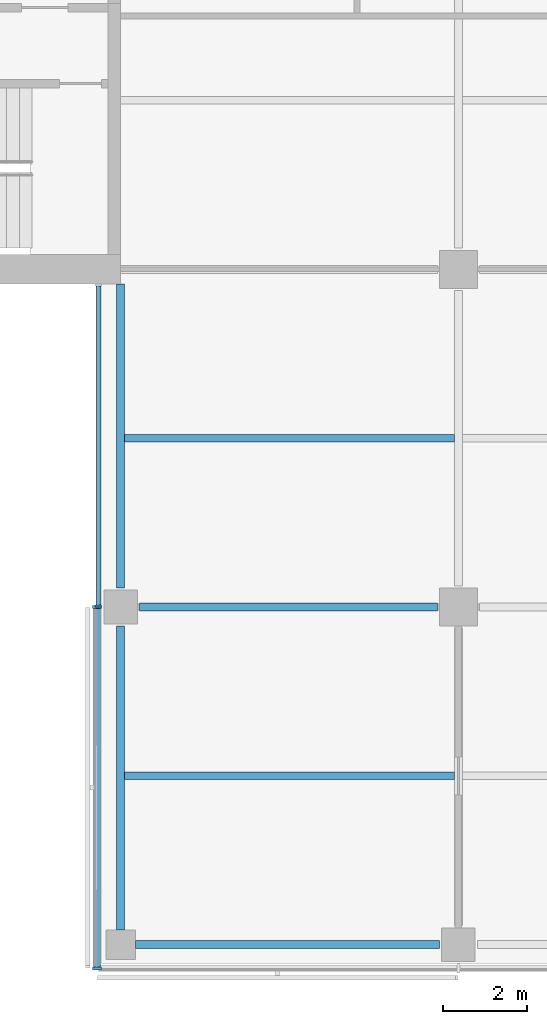
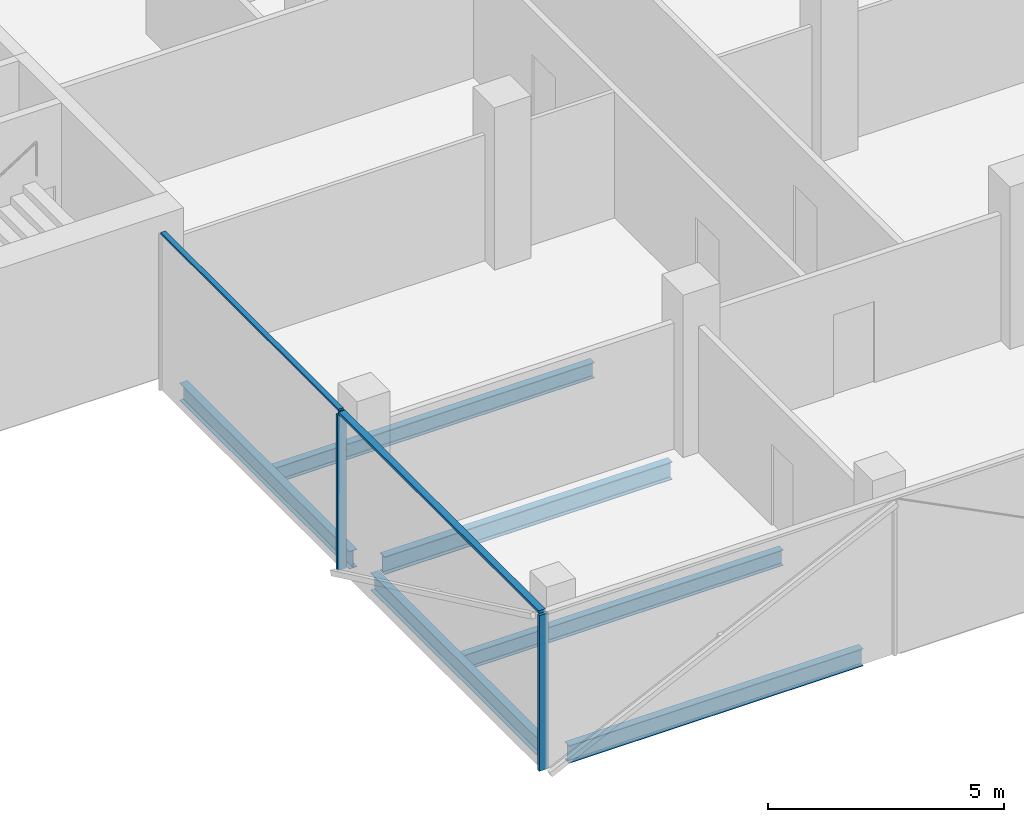
# One storey, part 2 of 22: 6 beams, 5 members, 2 elements without a shape of their own.
"""IFC4 building model written with IfcOpenShell, lengths in metres."""

from ifc_helpers import new_model, si_unit, direction, frame, origin, origin_2d, place, context, subcontext, project, spatial, rectangle, i_section, extrude, material, material_profile, profile_set, type_object, element, aggregate, save


model = new_model("IFC4")

# Units and contexts
model_context = context("Model", 3, precision=1e-05, world=origin(), true_north=direction((0.0, 1.0)))
body_context = subcontext(model_context, "Body", "Model", "MODEL_VIEW")
ifc_project = project(units=[si_unit("LENGTHUNIT", "METRE"), si_unit("AREAUNIT", "SQUARE_METRE"), si_unit("VOLUMEUNIT", "CUBIC_METRE"), si_unit("PLANEANGLEUNIT", "RADIAN"), si_unit("MASSUNIT", "GRAM", prefix="KILO")], contexts=[model_context])

# Site, building, storey
site_placement = place(None, origin())
site = spatial("IfcSite", under=ifc_project, at=site_placement, CompositionType="ELEMENT")
building_placement = place(site_placement, origin())
building = spatial("IfcBuilding", under=site, at=building_placement, Name="Crosswind Convention Tower", CompositionType="ELEMENT")
storey_placement = place(building_placement, frame((0.0, 0.0, 167.300048828125)))
storey = spatial("IfcBuildingStorey", under=building, at=storey_placement, Name="L35", CompositionType="ELEMENT", Elevation=167.300048828125)

# Beams
ifc_material_1 = material(Name="Steel S355", Category="steel")
ifc_material_profile_1 = material_profile(ifc_material_1, i_section(OverallWidth=0.18994140625, OverallDepth=0.45361328125, WebThickness=0.008544921875, FlangeThickness=0.0126953125, FilletRadius=0.01025390625, at=origin_2d()), Name="UB 457x191x67")
ifc_profile_set_1 = profile_set([ifc_material_profile_1], Name="Steel S355")
beam_type_1 = type_object("IfcBeamType", Name="Edge beam UB 457x191x67", PredefinedType="SPANDREL", material=ifc_profile_set_1)
for number, where, z_axis, x_axis, name in (
    (1, (113.0, 72.35009765625, -0.52685546875), (0.0, 1.0, 0.0), (-1.0, 0.0, 0.0), "B16 L35 edge beam 6"),
    (2, (113.0, 80.449951171875, -0.52685546875), (0.0, 1.0, 0.0), (-1.0, 0.0, 0.0), "B16 L35 edge beam 7"),
    (3, (113.35009765625, 72.0, -0.52685546875), (1.0, 0.0, 0.0), (0.0, 1.0, 0.0), "B16 L35 edge beam 10"),
):
    element("IfcBeam", number, at=place(storey_placement, frame(where, z_axis=z_axis, x_axis=x_axis)), inside=storey, type_object=beam_type_1, Name=name, PredefinedType="SPANDREL", context=body_context, shape_type="SweptSolid", body=[
        extrude(i_section(OverallWidth=0.18994140625, OverallDepth=0.45361328125, WebThickness=0.008544921875, FlangeThickness=0.0126953125, FilletRadius=0.01025390625, at=origin_2d()), origin(), (0.0, 0.0, 1.0), 7.199951171875),
    ])
ifc_material_profile_2 = material_profile(ifc_material_1, i_section(OverallWidth=0.19140625, OverallDepth=0.460205078125, WebThickness=0.010009765625, FlangeThickness=0.01611328125, FilletRadius=0.01025390625, at=origin_2d()), Name="UB 457x191x82")
ifc_profile_set_2 = profile_set([ifc_material_profile_2], Name="Steel S355")
beam_type_2 = type_object("IfcBeamType", Name="Girder UB 457x191x82", PredefinedType="BEAM", material=ifc_profile_set_2)
beam_placement = place(storey_placement, frame((113.449951171875, 80.0, -0.530029296875), z_axis=(1.0, 0.0, 0.0), x_axis=(0.0, 1.0, 0.0)))
element("IfcBeam", 4, at=beam_placement, inside=storey, type_object=beam_type_2, Name="B3 L35 girder 1", PredefinedType="BEAM", context=body_context, shape_type="SweptSolid", body=[
    extrude(i_section(OverallWidth=0.19140625, OverallDepth=0.460205078125, WebThickness=0.010009765625, FlangeThickness=0.01611328125, FilletRadius=0.01025390625, at=origin_2d()), origin(), (0.0, 0.0, 1.0), 7.050048828125),
])

# Curtain wall, member
ifc_material_2 = material(Name="Aluminium unitised curtain wall", Category="aluminium")
curtain_wall_type_1 = type_object("IfcCurtainWallType", Name="CORE END SLOT WALL 160", PredefinedType="USERDEFINED", material=ifc_material_2)
curtain_wall_1_placement = place(storey_placement, origin())
curtain_wall_1 = element("IfcCurtainWall", 5, at=curtain_wall_1_placement, inside=storey, type_object=curtain_wall_type_1, Name="CW6 L35 S-W.1-1 slot", ObjectType="UNITISED", PredefinedType="USERDEFINED")
ifc_material_3 = material(Name="Aluminium mullion", Category="aluminium")
ifc_material_profile_3 = material_profile(ifc_material_3, rectangle(XDim=0.159912109375, YDim=0.050048828125, at=origin_2d()), Name="AL 160X50")
ifc_profile_set_3 = profile_set([ifc_material_profile_3], Name="Aluminium mullion")
member_type_1 = type_object("IfcMemberType", Name="MULLION 50X160", PredefinedType="MULLION", material=ifc_profile_set_3)
member_1_placement = place(storey_placement, frame((112.469970703125, 80.02490234375, -0.300048828125), z_axis=(0.0, 0.0, 1.0), x_axis=(-1.0, 0.0, 0.0)))
member_1 = element("IfcMember", 6, at=member_1_placement, type_object=member_type_1, Name="CW6 mullion 2", PredefinedType="MULLION", context=body_context, shape_type="SweptSolid", body=[
    extrude(rectangle(XDim=0.159912109375, YDim=0.050048828125, at=origin_2d()), origin(), (0.0, 0.0, 1.0), 4.050048828125),
])

# Curtain wall, members
curtain_wall_type_2 = type_object("IfcCurtainWallType", Name="OFFICE UNITISED WALL 220", PredefinedType="USERDEFINED", material=ifc_material_2)
curtain_wall_2_placement = place(storey_placement, origin())
curtain_wall_2 = element("IfcCurtainWall", 7, at=curtain_wall_2_placement, inside=storey, type_object=curtain_wall_type_2, Name="CW3 L35 S-W 1", ObjectType="UNITISED", PredefinedType="USERDEFINED")
ifc_material_profile_4 = material_profile(ifc_material_3, rectangle(XDim=0.219970703125, YDim=0.070068359375, at=origin_2d()), Name="AL 220X70")
ifc_profile_set_4 = profile_set([ifc_material_profile_4], Name="Aluminium mullion")
member_type_2 = type_object("IfcMemberType", Name="MULLION 70X220", PredefinedType="MULLION", material=ifc_profile_set_4)
member_2_placement = place(storey_placement, frame((112.43994140625, 80.0, -0.300048828125), z_axis=(0.0, 0.0, 1.0), x_axis=(-1.0, 0.0, 0.0)))
member_2 = element("IfcMember", 8, at=member_2_placement, type_object=member_type_2, Name="CW3 mullion 1", PredefinedType="MULLION", context=body_context, shape_type="SweptSolid", body=[
    extrude(rectangle(XDim=0.219970703125, YDim=0.070068359375, at=origin_2d()), origin(), (0.0, 0.0, 1.0), 4.030029296875),
])
member_3_placement = place(storey_placement, frame((112.43994140625, 71.43994140625, -0.300048828125), z_axis=(0.0, 0.0, 1.0), x_axis=(-1.0, 0.0, 0.0)))
member_3 = element("IfcMember", 9, at=member_3_placement, type_object=member_type_2, Name="CW3 mullion 2", PredefinedType="MULLION", context=body_context, shape_type="SweptSolid", body=[
    extrude(rectangle(XDim=0.219970703125, YDim=0.070068359375, at=origin_2d()), origin(), (0.0, 0.0, 1.0), 4.030029296875),
])

# Beams
ifc_material_profile_5 = material_profile(ifc_material_1, i_section(OverallWidth=0.177734375, OverallDepth=0.406494140625, WebThickness=0.0078125, FlangeThickness=0.0126953125, FilletRadius=0.01025390625, at=origin_2d()), Name="UB 406x178x60")
ifc_profile_set_5 = profile_set([ifc_material_profile_5], Name="Steel S355")
beam_type_3 = type_object("IfcBeamType", Name="Secondary beam UB 406x178x60", PredefinedType="JOIST", material=ifc_profile_set_5)
for number, where, z_axis, x_axis, name in (
    (10, (113.094970703125, 76.0, -0.503173828125), (1.0, 0.0, 0.0), (0.0, 1.0, 0.0), "B10 L35 secondary beam 7"),
    (11, (113.094970703125, 84.0, -0.503173828125), (1.0, 0.0, 0.0), (0.0, 1.0, 0.0), "B10 L35 secondary beam 8"),
):
    element("IfcBeam", number, at=place(storey_placement, frame(where, z_axis=z_axis, x_axis=x_axis)), inside=storey, type_object=beam_type_3, Name=name, PredefinedType="JOIST", context=body_context, shape_type="SweptSolid", body=[
        extrude(i_section(OverallWidth=0.177734375, OverallDepth=0.406494140625, WebThickness=0.0078125, FlangeThickness=0.0126953125, FilletRadius=0.01025390625, at=origin_2d()), origin(), (0.0, 0.0, 1.0), 7.809326171875),
    ])

# Member
ifc_material_4 = material(Name="Aluminium transom", Category="aluminium")
ifc_material_profile_6 = material_profile(ifc_material_4, rectangle(XDim=0.1201171875, YDim=0.050048828125, at=origin_2d()), Name="AL 120X50")
ifc_profile_set_6 = profile_set([ifc_material_profile_6], Name="Aluminium transom")
member_type_3 = type_object("IfcMemberType", Name="TRANSOM 50X120", PredefinedType="USERDEFINED", material=ifc_profile_set_6)
member_4_placement = place(storey_placement, frame((112.469970703125, 87.60009765625, 3.77490234375), z_axis=(0.0, -1.0, 0.0), x_axis=(1.0, 0.0, 0.0)))
member_4 = element("IfcMember", 12, at=member_4_placement, type_object=member_type_3, Name="CW6 transom", ObjectType="TRANSOM", PredefinedType="USERDEFINED", context=body_context, shape_type="SweptSolid", body=[
    extrude(rectangle(XDim=0.1201171875, YDim=0.050048828125, at=origin_2d()), origin(), (0.0, 0.0, 1.0), 7.550048828125),
])

aggregate(curtain_wall_1, [member_1, member_4])

ifc_material_profile_7 = material_profile(ifc_material_4, rectangle(XDim=0.159912109375, YDim=0.070068359375, at=origin_2d()), Name="AL 160X70")
ifc_profile_set_7 = profile_set([ifc_material_profile_7], Name="Aluminium transom")
member_type_4 = type_object("IfcMemberType", Name="TRANSOM 70X160", PredefinedType="USERDEFINED", material=ifc_profile_set_7)
member_5_placement = place(storey_placement, frame((112.43994140625, 79.965087890625, 3.764892578125), z_axis=(0.0, -1.0, 0.0), x_axis=(1.0, 0.0, 0.0)))
member_5 = element("IfcMember", 13, at=member_5_placement, type_object=member_type_4, Name="CW3 transom", ObjectType="TRANSOM", PredefinedType="USERDEFINED", context=body_context, shape_type="SweptSolid", body=[
    extrude(rectangle(XDim=0.159912109375, YDim=0.070068359375, at=origin_2d()), origin(), (0.0, 0.0, 1.0), 8.489990234375),
])

aggregate(curtain_wall_2, [member_2, member_3, member_5])

save(model, "model.ifc")
